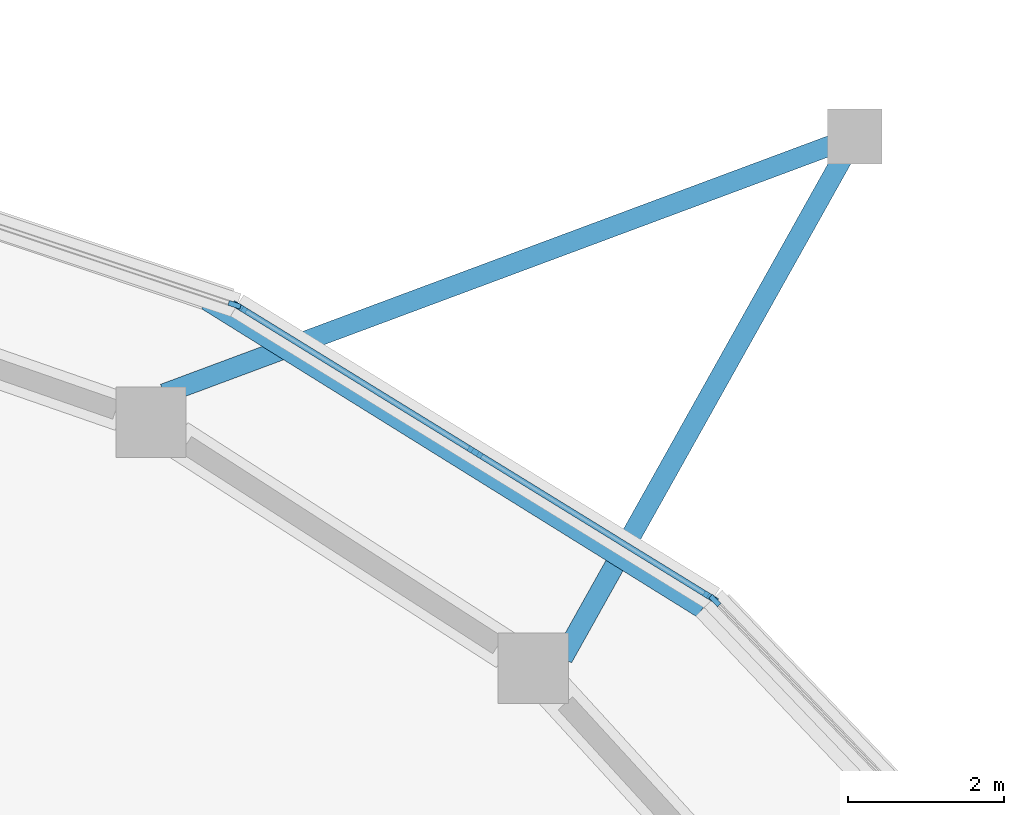
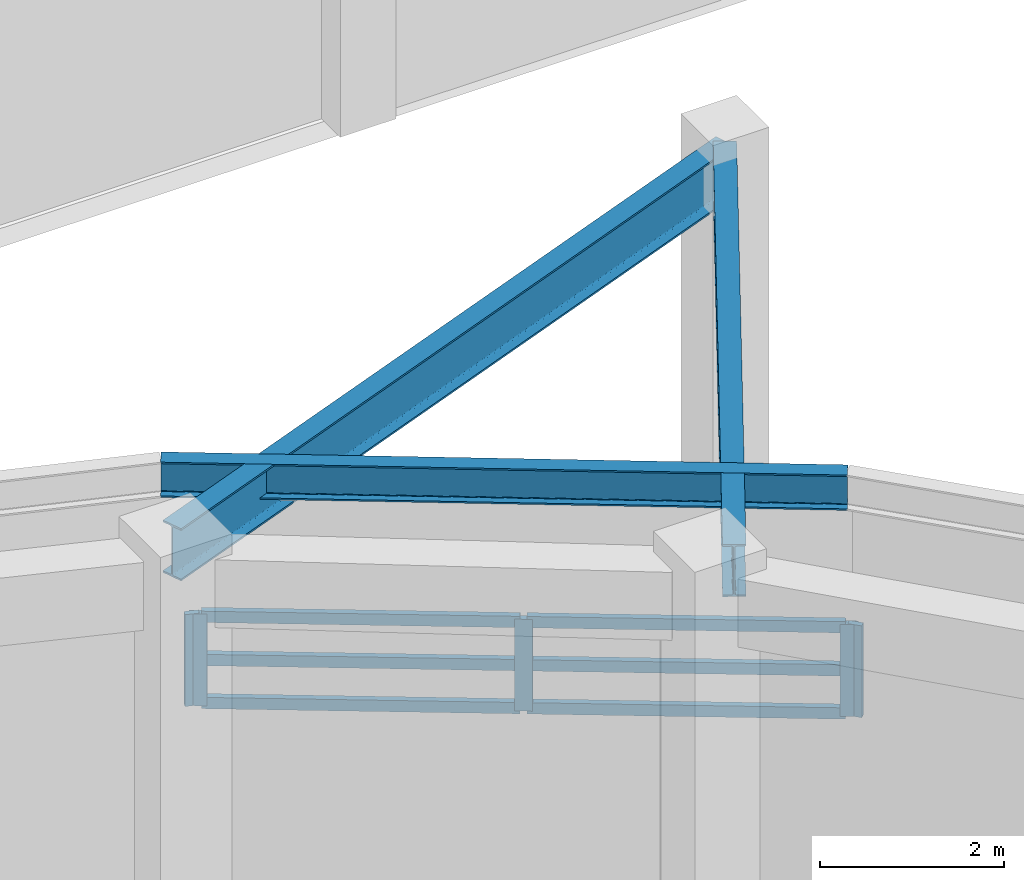
# One storey, part 16 of 56: 11 members, 3 beams, 3 elements without a shape of their own.
"""IFC4 building model written with IfcOpenShell, lengths in metres."""

from ifc_helpers import new_model, si_unit, direction, frame, origin, origin_2d, place, context, subcontext, project, spatial, rectangle, i_section, extrude, material, material_profile, profile_set, type_object, element, aggregate, save


model = new_model("IFC4")

# Units and contexts
model_context = context("Model", 3, precision=1e-05, world=origin(), true_north=direction((0.0, 1.0)))
body_context = subcontext(model_context, "Body", "Model", "MODEL_VIEW")
ifc_project = project(units=[si_unit("LENGTHUNIT", "METRE"), si_unit("AREAUNIT", "SQUARE_METRE"), si_unit("VOLUMEUNIT", "CUBIC_METRE"), si_unit("PLANEANGLEUNIT", "RADIAN"), si_unit("MASSUNIT", "GRAM", prefix="KILO")], contexts=[model_context])

# Site, building, storey
site_placement = place(None, origin())
site = spatial("IfcSite", under=ifc_project, at=site_placement, CompositionType="ELEMENT")
building_placement = place(site_placement, origin())
building = spatial("IfcBuilding", under=site, at=building_placement, Name="Parian Resonance Hall", CompositionType="ELEMENT")
storey_placement = place(building_placement, frame((0.0, 0.0, 5.39990234375)))
storey = spatial("IfcBuildingStorey", under=building, at=storey_placement, Name="L01", CompositionType="ELEMENT", Elevation=5.39990234375)

# Beams
ifc_material_1 = material(Name="Steel S355", Category="steel")
ifc_material_profile_1 = material_profile(ifc_material_1, i_section(OverallWidth=0.194091796875, OverallDepth=0.468994140625, WebThickness=0.0126953125, FlangeThickness=0.0205078125, FilletRadius=0.01513671875, at=origin_2d()), Name="W460x106")
ifc_profile_set_1 = profile_set([ifc_material_profile_1], Name="Steel S355")
beam_type_1 = type_object("IfcBeamType", Name="BM-W460x106", PredefinedType="SPANDREL", material=ifc_profile_set_1)
beam_1_placement = place(storey_placement, frame((62.83740234375, 58.736083984375, 4.295654296875), z_axis=(-0.849168757423, 0.528121597189, 0.0), x_axis=(-0.528121597189, -0.849168757423, 0.0)))
element("IfcBeam", 1, at=beam_1_placement, inside=storey, type_object=beam_type_1, Name="Elliptical R2 perimeter spandrel beam 04", PredefinedType="SPANDREL", context=body_context, shape_type="SweptSolid", body=[
    extrude(i_section(OverallWidth=0.194091796875, OverallDepth=0.468994140625, WebThickness=0.0126953125, FlangeThickness=0.0205078125, FilletRadius=0.01513671875, at=origin_2d()), origin(), (0.0, 0.0, 1.0), 7.463134765625),
])
ifc_material_2 = material(Name="Steel S355", Category="steel")
ifc_material_profile_2 = material_profile(ifc_material_2, i_section(OverallWidth=0.256103515625, OverallDepth=0.693115234375, WebThickness=0.014404296875, FlangeThickness=0.023681640625, FilletRadius=0.020263671875, at=origin_2d()), Name="W690x170")
ifc_profile_set_2 = profile_set([ifc_material_profile_2], Name="Steel S355")
beam_type_2 = type_object("IfcBeamType", Name="CG2 W690x170", PredefinedType="USERDEFINED", material=ifc_profile_set_2)
beam_2_placement = place(storey_placement, frame((61.066162109375, 58.130126953125, 4.18359375), z_axis=(0.488476930006, 0.872576809715, 0.0), x_axis=(-0.872576809715, 0.488476930006, 0.0)))
element("IfcBeam", 2, at=beam_2_placement, inside=storey, type_object=beam_type_2, Name="Radial spine girder R2-04", ObjectType="GIRDER", PredefinedType="USERDEFINED", context=body_context, shape_type="SweptSolid", body=[
    extrude(i_section(OverallWidth=0.256103515625, OverallDepth=0.693115234375, WebThickness=0.014404296875, FlangeThickness=0.023681640625, FilletRadius=0.020263671875, at=origin_2d()), origin(), (0.0, 0.0, 1.0), 7.64404296875),
])
beam_3_placement = place(storey_placement, frame((55.96630859375, 61.510986328125, 4.18359375), z_axis=(0.937149383909, 0.348928405606, 0.0), x_axis=(-0.348928405606, 0.937149383909, 0.0)))
element("IfcBeam", 3, at=beam_3_placement, inside=storey, type_object=beam_type_2, Name="Radial spine girder R2-05", ObjectType="GIRDER", PredefinedType="USERDEFINED", context=body_context, shape_type="SweptSolid", body=[
    extrude(i_section(OverallWidth=0.256103515625, OverallDepth=0.693115234375, WebThickness=0.014404296875, FlangeThickness=0.023681640625, FilletRadius=0.020263671875, at=origin_2d()), origin(), (0.0, 0.0, 1.0), 9.42626953125),
])

# Curtain wall, member
ifc_material_3 = material(Name="Bronze-anodised aluminium frame", Category="aluminium")
curtain_wall_type_1 = type_object("IfcCurtainWallType", Name="CW-SYS-03", PredefinedType="NOTDEFINED", material=ifc_material_3)
curtain_wall_1_placement = place(storey_placement, origin())
curtain_wall_1 = element("IfcCurtainWall", 4, at=curtain_wall_1_placement, inside=storey, type_object=curtain_wall_type_1, Name="Elliptical R1 recessed strip curtain wall 03", PredefinedType="NOTDEFINED")
ifc_material_4 = material(Name="Bronze-anodised aluminium frame", Category="aluminium")
ifc_material_profile_3 = material_profile(ifc_material_4, rectangle(XDim=0.06494140625, YDim=0.159912109375, at=origin_2d()), Name="CWM-65x160")
ifc_profile_set_3 = profile_set([ifc_material_profile_3], Name="Bronze-anodised aluminium frame")
member_type_1 = type_object("IfcMemberType", Name="CWM-65x160", PredefinedType="MULLION", material=ifc_profile_set_3)
member_1_placement = place(storey_placement, frame((63.011474609375, 58.8642578125, 1.14208984375), z_axis=(0.0, 0.0, 1.0), x_axis=(0.722862800238, 0.69099158608, 0.0)))
member_1 = element("IfcMember", 5, at=member_1_placement, type_object=member_type_1, Name="CW-03 mullion 1", PredefinedType="MULLION", context=body_context, shape_type="SweptSolid", body=[
    extrude(rectangle(XDim=0.06494140625, YDim=0.159912109375, at=origin_2d()), origin(), (0.0, 0.0, 1.0), 1.218017578125),
])
aggregate(curtain_wall_1, [member_1])

ifc_material_5 = material(Name="Bronze-anodised aluminium frame", Category="aluminium")
curtain_wall_type_2 = type_object("IfcCurtainWallType", Name="CW-SYS-05", PredefinedType="NOTDEFINED", material=ifc_material_5)
curtain_wall_2_placement = place(storey_placement, origin())
curtain_wall_2 = element("IfcCurtainWall", 6, at=curtain_wall_2_placement, inside=storey, type_object=curtain_wall_type_2, Name="Elliptical R1 recessed strip curtain wall 05", PredefinedType="NOTDEFINED")
member_2_placement = place(storey_placement, frame((56.869140625, 62.6484375, 1.14208984375), z_axis=(0.0, 0.0, 1.0), x_axis=(0.315509027722, 0.948922575043, 0.0)))
member_2 = element("IfcMember", 7, at=member_2_placement, type_object=member_type_1, Name="CW-05 mullion 3", PredefinedType="MULLION", context=body_context, shape_type="SweptSolid", body=[
    extrude(rectangle(XDim=0.06494140625, YDim=0.159912109375, at=origin_2d()), origin(), (0.0, 0.0, 1.0), 1.218017578125),
])
aggregate(curtain_wall_2, [member_2])

# Curtain wall, members
ifc_material_6 = material(Name="Bronze-anodised aluminium frame", Category="aluminium")
curtain_wall_type_3 = type_object("IfcCurtainWallType", Name="CW-SYS-04", PredefinedType="NOTDEFINED", material=ifc_material_6)
curtain_wall_3_placement = place(storey_placement, origin())
curtain_wall_3 = element("IfcCurtainWall", 8, at=curtain_wall_3_placement, inside=storey, type_object=curtain_wall_type_3, Name="Elliptical R1 recessed strip curtain wall 04", PredefinedType="NOTDEFINED")
ifc_material_7 = material(Name="Bronze-anodised aluminium frame", Category="aluminium")
ifc_material_profile_4 = material_profile(ifc_material_7, rectangle(XDim=0.074951171875, YDim=0.199951171875, at=origin_2d()), Name="CWM-75x200")
ifc_profile_set_4 = profile_set([ifc_material_profile_4], Name="Bronze-anodised aluminium frame")
member_type_2 = type_object("IfcMemberType", Name="CWM-75x200", PredefinedType="MULLION", material=ifc_profile_set_4)
member_3_placement = place(storey_placement, frame((56.931884765625, 62.61865234375, 1.14208984375), z_axis=(0.0, 0.0, 1.0), x_axis=(0.524450808757, 0.85144074908, 0.0)))
member_3 = element("IfcMember", 9, at=member_3_placement, type_object=member_type_2, Name="CW-04 mullion 1", PredefinedType="MULLION", context=body_context, shape_type="SweptSolid", body=[
    extrude(rectangle(XDim=0.074951171875, YDim=0.199951171875, at=origin_2d()), origin(), (0.0, 0.0, 1.0), 1.218017578125),
])
member_4_placement = place(storey_placement, frame((59.9443359375, 60.762939453125, 1.14208984375), z_axis=(0.0, 0.0, 1.0), x_axis=(0.524450808757, 0.85144074908, 0.0)))
member_4 = element("IfcMember", 10, at=member_4_placement, type_object=member_type_2, Name="CW-04 mullion 2", PredefinedType="MULLION", context=body_context, shape_type="SweptSolid", body=[
    extrude(rectangle(XDim=0.074951171875, YDim=0.199951171875, at=origin_2d()), origin(), (0.0, 0.0, 1.0), 1.218017578125),
])
member_5_placement = place(storey_placement, frame((62.95703125, 58.907470703125, 1.14208984375), z_axis=(0.0, 0.0, 1.0), x_axis=(0.524450808757, 0.85144074908, 0.0)))
member_5 = element("IfcMember", 11, at=member_5_placement, type_object=member_type_2, Name="CW-04 mullion 3", PredefinedType="MULLION", context=body_context, shape_type="SweptSolid", body=[
    extrude(rectangle(XDim=0.074951171875, YDim=0.199951171875, at=origin_2d()), origin(), (0.0, 0.0, 1.0), 1.218017578125),
])
ifc_material_8 = material(Name="Bronze-anodised aluminium frame", Category="aluminium")
ifc_material_profile_5 = material_profile(ifc_material_8, rectangle(XDim=0.074951171875, YDim=0.14990234375, at=origin_2d()), Name="CWT-75x150")
ifc_profile_set_5 = profile_set([ifc_material_profile_5], Name="Bronze-anodised aluminium frame")
member_type_3 = type_object("IfcMemberType", Name="CWT-75x150", PredefinedType="USERDEFINED", material=ifc_profile_set_5)
member_6_placement = place(storey_placement, frame((56.9638671875, 62.598876953125, 1.1796875), z_axis=(0.851457354089, -0.524423849732, 0.0), x_axis=(0.524423849732, 0.851457354089, 0.0)))
member_6 = element("IfcMember", 12, at=member_6_placement, type_object=member_type_3, Name="CW-04 transom 1.1", ObjectType="TRANSOM", PredefinedType="USERDEFINED", context=body_context, shape_type="SweptSolid", body=[
    extrude(rectangle(XDim=0.074951171875, YDim=0.14990234375, at=origin_2d()), origin(), (0.0, 0.0, 1.0), 3.463134765625),
])
member_7_placement = place(storey_placement, frame((56.9638671875, 62.598876953125, 1.75), z_axis=(0.851457354089, -0.524423849732, 0.0), x_axis=(0.524423849732, 0.851457354089, 0.0)))
member_7 = element("IfcMember", 13, at=member_7_placement, type_object=member_type_3, Name="CW-04 transom 1.2", ObjectType="TRANSOM", PredefinedType="USERDEFINED", context=body_context, shape_type="SweptSolid", body=[
    extrude(rectangle(XDim=0.074951171875, YDim=0.14990234375, at=origin_2d()), origin(), (0.0, 0.0, 1.0), 3.463134765625),
])
member_8_placement = place(storey_placement, frame((56.9638671875, 62.598876953125, 2.322509765625), z_axis=(0.851457354089, -0.524423849732, 0.0), x_axis=(0.524423849732, 0.851457354089, 0.0)))
member_8 = element("IfcMember", 14, at=member_8_placement, type_object=member_type_3, Name="CW-04 transom 1.3", ObjectType="TRANSOM", PredefinedType="USERDEFINED", context=body_context, shape_type="SweptSolid", body=[
    extrude(rectangle(XDim=0.074951171875, YDim=0.14990234375, at=origin_2d()), origin(), (0.0, 0.0, 1.0), 3.463134765625),
])
member_9_placement = place(storey_placement, frame((59.976318359375, 60.7431640625, 1.1796875), z_axis=(0.851457354089, -0.524423849732, 0.0), x_axis=(0.524423849732, 0.851457354089, 0.0)))
member_9 = element("IfcMember", 15, at=member_9_placement, type_object=member_type_3, Name="CW-04 transom 2.1", ObjectType="TRANSOM", PredefinedType="USERDEFINED", context=body_context, shape_type="SweptSolid", body=[
    extrude(rectangle(XDim=0.074951171875, YDim=0.14990234375, at=origin_2d()), origin(), (0.0, 0.0, 1.0), 3.463134765625),
])
member_10_placement = place(storey_placement, frame((59.976318359375, 60.7431640625, 1.75), z_axis=(0.851457354089, -0.524423849732, 0.0), x_axis=(0.524423849732, 0.851457354089, 0.0)))
member_10 = element("IfcMember", 16, at=member_10_placement, type_object=member_type_3, Name="CW-04 transom 2.2", ObjectType="TRANSOM", PredefinedType="USERDEFINED", context=body_context, shape_type="SweptSolid", body=[
    extrude(rectangle(XDim=0.074951171875, YDim=0.14990234375, at=origin_2d()), origin(), (0.0, 0.0, 1.0), 3.463134765625),
])
member_11_placement = place(storey_placement, frame((59.976318359375, 60.7431640625, 2.322509765625), z_axis=(0.851457354089, -0.524423849732, 0.0), x_axis=(0.524423849732, 0.851457354089, 0.0)))
member_11 = element("IfcMember", 17, at=member_11_placement, type_object=member_type_3, Name="CW-04 transom 2.3", ObjectType="TRANSOM", PredefinedType="USERDEFINED", context=body_context, shape_type="SweptSolid", body=[
    extrude(rectangle(XDim=0.074951171875, YDim=0.14990234375, at=origin_2d()), origin(), (0.0, 0.0, 1.0), 3.463134765625),
])
aggregate(curtain_wall_3, [member_3, member_4, member_5, member_6, member_7, member_8, member_9, member_10, member_11])

save(model, "model.ifc")
